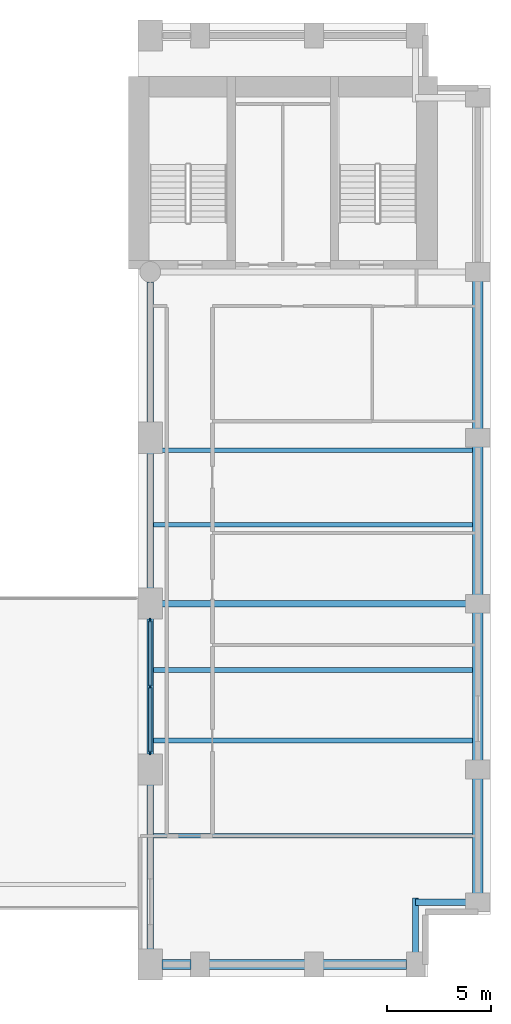
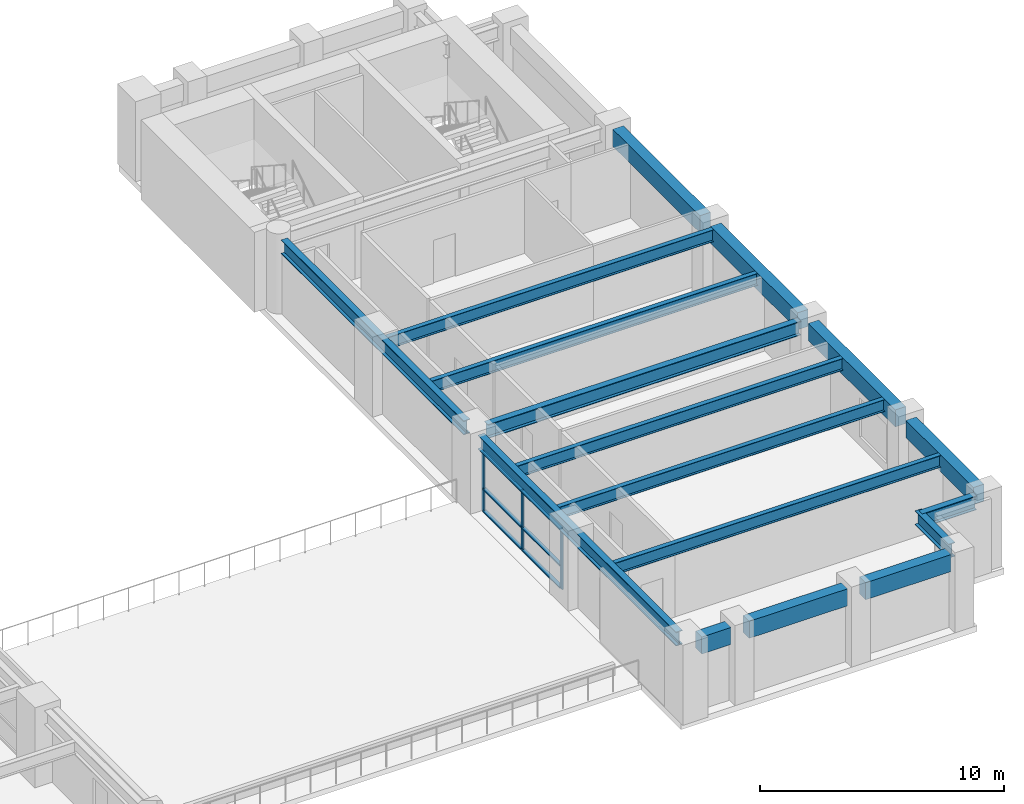
# One storey, part 3 of 10: 17 beams, 9 members, 1 element without a shape of its own.
"""IFC4 building model written with IfcOpenShell, lengths in metres."""

from ifc_helpers import new_model, si_unit, direction, frame, origin, origin_2d, place, context, subcontext, project, spatial, rectangle, i_section, extrude, material, layer, layer_set, material_profile, profile_set, type_object, element, aggregate, save


model = new_model("IFC4")

# Units and contexts
model_context = context("Model", 3, precision=1e-05, world=origin(), true_north=direction((0.0, 1.0)))
body_context = subcontext(model_context, "Body", "Model", "MODEL_VIEW")
ifc_project = project(units=[si_unit("LENGTHUNIT", "METRE"), si_unit("AREAUNIT", "SQUARE_METRE"), si_unit("VOLUMEUNIT", "CUBIC_METRE"), si_unit("PLANEANGLEUNIT", "RADIAN"), si_unit("MASSUNIT", "GRAM", prefix="KILO")], contexts=[model_context])

# Site, building, storey
site_placement = place(None, origin())
site = spatial("IfcSite", under=ifc_project, at=site_placement, CompositionType="ELEMENT")
building_placement = place(site_placement, origin())
building = spatial("IfcBuilding", under=site, at=building_placement, Name="Sulina Concourse Tower", CompositionType="ELEMENT")
storey_placement = place(building_placement, frame((0.0, 0.0, 22.60009765625)))
storey = spatial("IfcBuildingStorey", under=building, at=storey_placement, Name="L05", CompositionType="ELEMENT", Elevation=22.60009765625)

# Beams
ifc_material_1 = material(Name="Steel S355", Category="steel")
ifc_material_profile_1 = material_profile(ifc_material_1, i_section(OverallWidth=0.219970703125, OverallDepth=0.60009765625, WebThickness=0.011962890625, FlangeThickness=0.01904296875, at=origin_2d()), Name="IPE 600")
ifc_profile_set_1 = profile_set([ifc_material_profile_1], Name="Steel S355")
beam_type_1 = type_object("IfcBeamType", Name="Composite Floor Joist IPE600", PredefinedType="JOIST", material=ifc_profile_set_1)
for number, where, z_axis, x_axis, name in (
    (1, (41.75, 6.800048828125, 3.39990234375), (1.0, 0.0, 0.0), (0.0, 1.0, 0.0), "FJ-J06-3-L05"),
    (2, (41.75, 11.39990234375, 3.39990234375), (1.0, 0.0, 0.0), (0.0, 1.0, 0.0), "FJ-J11-3-L05"),
    (3, (41.75, 14.800048828125, 3.39990234375), (1.0, 0.0, 0.0), (0.0, 1.0, 0.0), "FJ-J15-3-L05"),
    (4, (41.75, 21.800048828125, 3.39990234375), (1.0, 0.0, 0.0), (0.0, 1.0, 0.0), "FJ-J22-3-L05"),
    (5, (41.75, 25.39990234375, 3.39990234375), (1.0, 0.0, 0.0), (0.0, 1.0, 0.0), "FJ-J25-3-L05"),
):
    element("IfcBeam", number, at=place(storey_placement, frame(where, z_axis=z_axis, x_axis=x_axis)), inside=storey, type_object=beam_type_1, Name=name, PredefinedType="JOIST", context=body_context, shape_type="SweptSolid", body=[
        extrude(i_section(OverallWidth=0.219970703125, OverallDepth=0.60009765625, WebThickness=0.011962890625, FlangeThickness=0.01904296875, at=origin_2d()), origin(), (0.0, 0.0, 1.0), 15.39990234375),
    ])
ifc_material_2 = material(Name="Steel S355", Category="steel")
ifc_material_profile_2 = material_profile(ifc_material_2, i_section(OverallWidth=0.300048828125, OverallDepth=0.699951171875, WebThickness=0.01708984375, FlangeThickness=0.031982421875, at=origin_2d()), Name="HE 700 B")
ifc_profile_set_2 = profile_set([ifc_material_profile_2], Name="Steel S355")
beam_type_2 = type_object("IfcBeamType", Name="Floor Primary Girder Zone 1 HE700B", PredefinedType="BEAM", material=ifc_profile_set_2)
beam_1_placement = place(storey_placement, frame((54.39990234375, 3.60009765625, 3.349853515625), z_axis=(1.0, 0.0, 0.0), x_axis=(0.0, 1.0, 0.0)))
element("IfcBeam", 6, at=beam_1_placement, inside=storey, type_object=beam_type_2, Name="TIE-SE-L05", PredefinedType="BEAM", context=body_context, shape_type="SweptSolid", body=[
    extrude(i_section(OverallWidth=0.300048828125, OverallDepth=0.699951171875, WebThickness=0.01708984375, FlangeThickness=0.031982421875, at=origin_2d()), origin(), (0.0, 0.0, 1.0), 2.570068359375),
])
beam_2_placement = place(storey_placement, frame((54.39990234375, 1.030029296875, 3.349853515625), z_axis=(0.0, 1.0, 0.0), x_axis=(-1.0, 0.0, 0.0)))
element("IfcBeam", 7, at=beam_2_placement, inside=storey, type_object=beam_type_2, Name="TIE-SES-L05", PredefinedType="BEAM", context=body_context, shape_type="SweptSolid", body=[
    extrude(i_section(OverallWidth=0.300048828125, OverallDepth=0.699951171875, WebThickness=0.01708984375, FlangeThickness=0.031982421875, at=origin_2d()), origin(), (0.0, 0.0, 1.0), 2.77001953125),
])
beam_3_placement = place(storey_placement, frame((42.179931640625, 18.0, 3.349853515625), z_axis=(1.0, 0.0, 0.0), x_axis=(0.0, 1.0, 0.0)))
element("IfcBeam", 8, at=beam_3_placement, inside=storey, type_object=beam_type_2, Name="FG-EW3-L05", PredefinedType="BEAM", context=body_context, shape_type="SweptSolid", body=[
    extrude(i_section(OverallWidth=0.300048828125, OverallDepth=0.699951171875, WebThickness=0.01708984375, FlangeThickness=0.031982421875, at=origin_2d()), origin(), (0.0, 0.0, 1.0), 14.7900390625),
])
beam_4_placement = place(storey_placement, frame((41.60009765625, 1.179931640625, 3.349853515625), z_axis=(0.0, 1.0, 0.0), x_axis=(-1.0, 0.0, 0.0)))
element("IfcBeam", 9, at=beam_4_placement, inside=storey, type_object=beam_type_2, Name="FG-NSA-41-L05", PredefinedType="BEAM", context=body_context, shape_type="SweptSolid", body=[
    extrude(i_section(OverallWidth=0.300048828125, OverallDepth=0.699951171875, WebThickness=0.01708984375, FlangeThickness=0.031982421875, at=origin_2d()), origin(), (0.0, 0.0, 1.0), 16.239990234375),
])
beam_5_placement = place(storey_placement, frame((41.60009765625, 18.580078125, 3.349853515625), z_axis=(0.0, 1.0, 0.0), x_axis=(-1.0, 0.0, 0.0)))
element("IfcBeam", 10, at=beam_5_placement, inside=storey, type_object=beam_type_2, Name="FG-NSB-41-L05", PredefinedType="BEAM", context=body_context, shape_type="SweptSolid", body=[
    extrude(i_section(OverallWidth=0.300048828125, OverallDepth=0.699951171875, WebThickness=0.01708984375, FlangeThickness=0.031982421875, at=origin_2d()), origin(), (0.0, 0.0, 1.0), 14.93994140625),
])
ifc_material_3 = material(Name="Precast concrete C50/60", Category="concrete")
ifc_material_profile_3 = material_profile(ifc_material_3, rectangle(XDim=0.5, YDim=0.85009765625, at=origin_2d()), Name="RC 500x850")
ifc_profile_set_3 = profile_set([ifc_material_profile_3], Name="Precast concrete C50/60")
beam_type_3 = type_object("IfcBeamType", Name="Lower Precast Spandrel Edge Beam 500x850", PredefinedType="BEAM", material=ifc_profile_set_3)
beam_6_placement = place(storey_placement, frame((42.179931640625, 0.60009765625, 3.27490234375), z_axis=(1.0, 0.0, 0.0), x_axis=(0.0, 1.0, 0.0)))
element("IfcBeam", 11, at=beam_6_placement, inside=storey, type_object=beam_type_3, Name="SP-S5-L05", PredefinedType="BEAM", context=body_context, shape_type="SweptSolid", body=[
    extrude(rectangle(XDim=0.5, YDim=0.85009765625, at=origin_2d()), origin(), (0.0, 0.0, 1.0), 1.39013671875),
])
beam_7_placement = place(storey_placement, frame((44.429931640625, 0.60009765625, 3.27490234375), z_axis=(1.0, 0.0, 0.0), x_axis=(0.0, 1.0, 0.0)))
element("IfcBeam", 12, at=beam_7_placement, inside=storey, type_object=beam_type_3, Name="SP-S6-L05", PredefinedType="BEAM", context=body_context, shape_type="SweptSolid", body=[
    extrude(rectangle(XDim=0.5, YDim=0.85009765625, at=origin_2d()), origin(), (0.0, 0.0, 1.0), 4.64013671875),
])
beam_8_placement = place(storey_placement, frame((49.929931640625, 0.60009765625, 3.27490234375), z_axis=(1.0, 0.0, 0.0), x_axis=(0.0, 1.0, 0.0)))
element("IfcBeam", 13, at=beam_8_placement, inside=storey, type_object=beam_type_3, Name="SP-S7-L05", PredefinedType="BEAM", context=body_context, shape_type="SweptSolid", body=[
    extrude(rectangle(XDim=0.5, YDim=0.85009765625, at=origin_2d()), origin(), (0.0, 0.0, 1.0), 4.0400390625),
])
beam_9_placement = place(storey_placement, frame((57.39990234375, 4.030029296875, 3.27490234375), z_axis=(0.0, 1.0, 0.0), x_axis=(-1.0, 0.0, 0.0)))
element("IfcBeam", 14, at=beam_9_placement, inside=storey, type_object=beam_type_3, Name="SP-E1-L05", PredefinedType="BEAM", context=body_context, shape_type="SweptSolid", body=[
    extrude(rectangle(XDim=0.5, YDim=0.85009765625, at=origin_2d()), origin(), (0.0, 0.0, 1.0), 5.5400390625),
])
for number, where, z_axis, x_axis, name in (
    (15, (57.39990234375, 10.429931640625, 3.27490234375), (0.0, 1.0, 0.0), (-1.0, 0.0, 0.0), "SP-E2-L05"),
    (16, (57.39990234375, 18.429931640625, 3.27490234375), (0.0, 1.0, 0.0), (-1.0, 0.0, 0.0), "SP-E3-L05"),
    (17, (57.39990234375, 26.429931640625, 3.27490234375), (0.0, 1.0, 0.0), (-1.0, 0.0, 0.0), "SP-E4-L05"),
):
    element("IfcBeam", number, at=place(storey_placement, frame(where, z_axis=z_axis, x_axis=x_axis)), inside=storey, type_object=beam_type_3, Name=name, PredefinedType="BEAM", context=body_context, shape_type="SweptSolid", body=[
        extrude(rectangle(XDim=0.5, YDim=0.85009765625, at=origin_2d()), origin(), (0.0, 0.0, 1.0), 7.14013671875),
    ])

# Curtain wall, members
ifc_material_4 = material(Name="Anodised bronze aluminium", Category="aluminium")
ifc_layer = layer(ifc_material_4, 0.219970703125)
ifc_layer_set = layer_set([ifc_layer], Name="Anodised bronze aluminium")
curtain_wall_type = type_object("IfcCurtainWallType", Name="Lower Terraced Portal Curtain Wall System", PredefinedType="NOTDEFINED", material=ifc_layer_set)
curtain_wall_placement = place(storey_placement, origin())
curtain_wall = element("IfcCurtainWall", 18, at=curtain_wall_placement, inside=storey, type_object=curtain_wall_type, Name="L05 glazed curtain wall PE2", PredefinedType="NOTDEFINED")
ifc_material_5 = material(Name="Anodised bronze aluminium", Category="aluminium")
ifc_material_profile_4 = material_profile(ifc_material_5, rectangle(XDim=0.070068359375, YDim=0.199951171875, at=origin_2d()), Name="MUL 70x200")
ifc_profile_set_4 = profile_set([ifc_material_profile_4], Name="Anodised bronze aluminium")
member_type_1 = type_object("IfcMemberType", Name="Lower Terraced Portal Curtain Wall System Mullion 70x200", PredefinedType="MULLION", material=ifc_profile_set_4)
member_1_placement = place(storey_placement, frame((41.60009765625, 10.804931640625, 0.0), z_axis=(0.0, 0.0, 1.0), x_axis=(-1.0, 0.0, 0.0)))
member_1 = element("IfcMember", 19, at=member_1_placement, type_object=member_type_1, Name="CW-02 mullion 1", PredefinedType="MULLION", context=body_context, shape_type="SweptSolid", body=[
    extrude(rectangle(XDim=0.070068359375, YDim=0.199951171875, at=origin_2d()), origin(), (0.0, 0.0, 1.0), 3.0),
])
member_2_placement = place(storey_placement, frame((41.60009765625, 14.0, 0.0), z_axis=(0.0, 0.0, 1.0), x_axis=(-1.0, 0.0, 0.0)))
member_2 = element("IfcMember", 20, at=member_2_placement, type_object=member_type_1, Name="CW-02 mullion 2", PredefinedType="MULLION", context=body_context, shape_type="SweptSolid", body=[
    extrude(rectangle(XDim=0.070068359375, YDim=0.199951171875, at=origin_2d()), origin(), (0.0, 0.0, 1.0), 3.0),
])
member_3_placement = place(storey_placement, frame((41.60009765625, 17.195068359375, 0.0), z_axis=(0.0, 0.0, 1.0), x_axis=(-1.0, 0.0, 0.0)))
member_3 = element("IfcMember", 21, at=member_3_placement, type_object=member_type_1, Name="CW-02 mullion 3", PredefinedType="MULLION", context=body_context, shape_type="SweptSolid", body=[
    extrude(rectangle(XDim=0.070068359375, YDim=0.199951171875, at=origin_2d()), origin(), (0.0, 0.0, 1.0), 3.0),
])
ifc_material_6 = material(Name="Anodised bronze aluminium", Category="aluminium")
ifc_material_profile_5 = material_profile(ifc_material_6, rectangle(XDim=0.1650390625, YDim=0.070068359375, at=origin_2d()), Name="TRN 70x165")
ifc_profile_set_5 = profile_set([ifc_material_profile_5], Name="Anodised bronze aluminium")
member_type_2 = type_object("IfcMemberType", Name="Lower Terraced Portal Curtain Wall System Transom 70x165", PredefinedType="USERDEFINED", material=ifc_profile_set_5)
member_4_placement = place(storey_placement, frame((41.60009765625, 10.840087890625, 0.034912109375), z_axis=(0.0, 1.0, 0.0), x_axis=(-1.0, 0.0, 0.0)))
member_4 = element("IfcMember", 22, at=member_4_placement, type_object=member_type_2, Name="CW-02 transom 1.1", ObjectType="TRANSOM", PredefinedType="USERDEFINED", context=body_context, shape_type="SweptSolid", body=[
    extrude(rectangle(XDim=0.1650390625, YDim=0.070068359375, at=origin_2d()), origin(), (0.0, 0.0, 1.0), 3.125),
])
member_5_placement = place(storey_placement, frame((41.60009765625, 10.840087890625, 1.139892578125), z_axis=(0.0, 1.0, 0.0), x_axis=(-1.0, 0.0, 0.0)))
member_5 = element("IfcMember", 23, at=member_5_placement, type_object=member_type_2, Name="CW-02 transom 1.2", ObjectType="TRANSOM", PredefinedType="USERDEFINED", context=body_context, shape_type="SweptSolid", body=[
    extrude(rectangle(XDim=0.1650390625, YDim=0.070068359375, at=origin_2d()), origin(), (0.0, 0.0, 1.0), 3.125),
])
member_6_placement = place(storey_placement, frame((41.60009765625, 10.840087890625, 2.96484375), z_axis=(0.0, 1.0, 0.0), x_axis=(-1.0, 0.0, 0.0)))
member_6 = element("IfcMember", 24, at=member_6_placement, type_object=member_type_2, Name="CW-02 transom 1.3", ObjectType="TRANSOM", PredefinedType="USERDEFINED", context=body_context, shape_type="SweptSolid", body=[
    extrude(rectangle(XDim=0.1650390625, YDim=0.070068359375, at=origin_2d()), origin(), (0.0, 0.0, 1.0), 3.125),
])
member_7_placement = place(storey_placement, frame((41.60009765625, 14.034912109375, 0.034912109375), z_axis=(0.0, 1.0, 0.0), x_axis=(-1.0, 0.0, 0.0)))
member_7 = element("IfcMember", 25, at=member_7_placement, type_object=member_type_2, Name="CW-02 transom 2.1", ObjectType="TRANSOM", PredefinedType="USERDEFINED", context=body_context, shape_type="SweptSolid", body=[
    extrude(rectangle(XDim=0.1650390625, YDim=0.070068359375, at=origin_2d()), origin(), (0.0, 0.0, 1.0), 3.125),
])
member_8_placement = place(storey_placement, frame((41.60009765625, 14.034912109375, 1.139892578125), z_axis=(0.0, 1.0, 0.0), x_axis=(-1.0, 0.0, 0.0)))
member_8 = element("IfcMember", 26, at=member_8_placement, type_object=member_type_2, Name="CW-02 transom 2.2", ObjectType="TRANSOM", PredefinedType="USERDEFINED", context=body_context, shape_type="SweptSolid", body=[
    extrude(rectangle(XDim=0.1650390625, YDim=0.070068359375, at=origin_2d()), origin(), (0.0, 0.0, 1.0), 3.125),
])
member_9_placement = place(storey_placement, frame((41.60009765625, 14.034912109375, 2.96484375), z_axis=(0.0, 1.0, 0.0), x_axis=(-1.0, 0.0, 0.0)))
member_9 = element("IfcMember", 27, at=member_9_placement, type_object=member_type_2, Name="CW-02 transom 2.3", ObjectType="TRANSOM", PredefinedType="USERDEFINED", context=body_context, shape_type="SweptSolid", body=[
    extrude(rectangle(XDim=0.1650390625, YDim=0.070068359375, at=origin_2d()), origin(), (0.0, 0.0, 1.0), 3.125),
])
aggregate(curtain_wall, [member_1, member_2, member_3, member_4, member_5, member_6, member_7, member_8, member_9])

save(model, "model.ifc")
